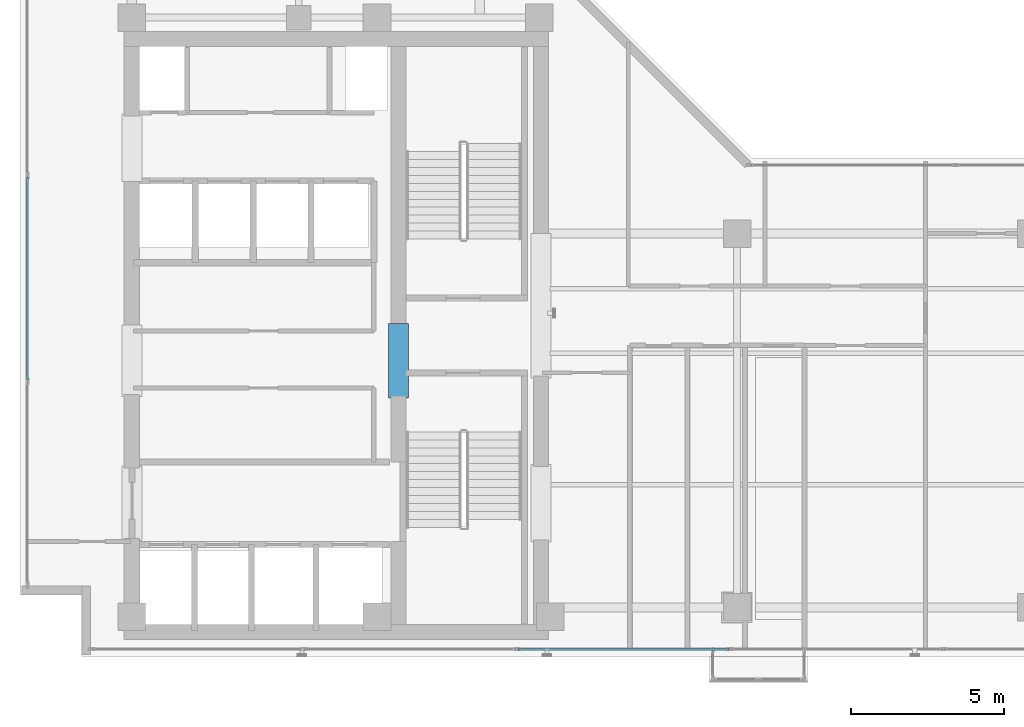
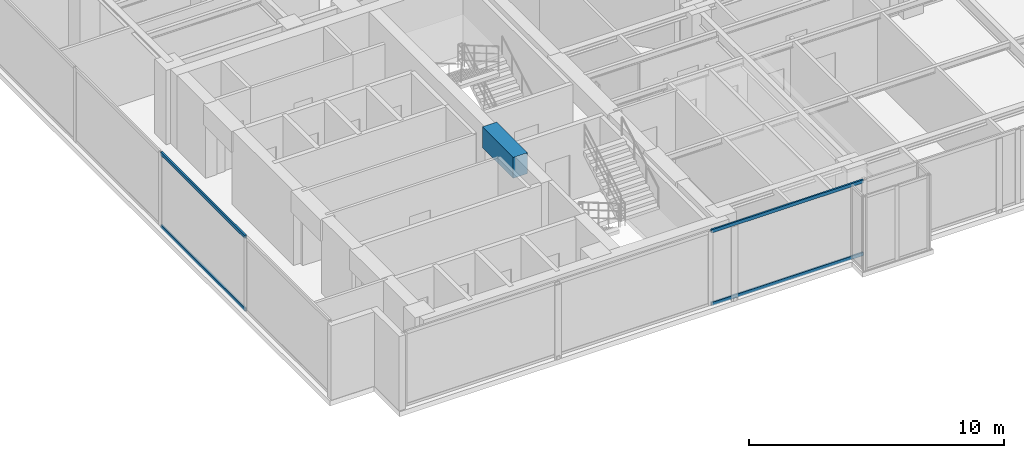
# One storey, part 3 of 22: 4 members, 1 beam, 2 elements without a shape of their own.
"""IFC4 building model written with IfcOpenShell, lengths in metres."""

from ifc_helpers import new_model, si_unit, direction, frame, origin, origin_with_axes, origin_2d, place, context, subcontext, project, spatial, rectangle, hollow_rectangle, extrude, source, transform, mapped, material, layer, layer_set, material_profile, profile_set, type_object, element, aggregate, save


model = new_model("IFC4")

# Units and contexts
model_context = context("Model", 3, precision=1e-05, world=origin(), true_north=direction((0.0, 1.0)))
body_context = subcontext(model_context, "Body", "Model", "MODEL_VIEW")
ifc_project = project(units=[si_unit("LENGTHUNIT", "METRE"), si_unit("AREAUNIT", "SQUARE_METRE"), si_unit("VOLUMEUNIT", "CUBIC_METRE"), si_unit("PLANEANGLEUNIT", "RADIAN"), si_unit("MASSUNIT", "GRAM", prefix="KILO")], contexts=[model_context])

# Site, building, storey
site_placement = place(None, origin())
site = spatial("IfcSite", under=ifc_project, at=site_placement, CompositionType="ELEMENT")
building_placement = place(site_placement, origin())
building = spatial("IfcBuilding", under=site, at=building_placement, Name="Kolvaren Waterfront Exchange", CompositionType="ELEMENT")
storey_placement = place(building_placement, frame((0.0, 0.0, 308.39990234375)))
storey = spatial("IfcBuildingStorey", under=building, at=storey_placement, Name="L79", CompositionType="ELEMENT", Elevation=308.39990234375)

# Beam
ifc_material_1 = material(Name="Concrete C60/75", Category="concrete")
ifc_material_profile_1 = material_profile(ifc_material_1, rectangle(XDim=0.64990234375, YDim=1.0, at=origin_2d()), Name="RC-CB-1000x650")
ifc_profile_set_1 = profile_set([ifc_material_profile_1], Name="Concrete C60/75")
beam_type = type_object("IfcBeamType", Name="STR-CB-1000", PredefinedType="SPANDREL", material=ifc_profile_set_1)
beam_placement = place(storey_placement, frame((16.14990234375, 12.0400390625, 3.06005859375), z_axis=(0.0, 1.0, 0.0), x_axis=(-1.0, 0.0, 0.0)))
element("IfcBeam", 1, at=beam_placement, inside=storey, type_object=beam_type, Name="L79 core coupling beam 6", PredefinedType="SPANDREL", context=body_context, shape_type="SweptSolid", body=[
    extrude(rectangle(XDim=0.64990234375, YDim=1.0, at=origin_2d()), origin(), (0.0, 0.0, 1.0), 2.419921875),
])

# Curtain wall, members
ifc_material_2 = material(Name="Anodised aluminium 6063-T6", Category="aluminium")
ifc_layer_1 = layer(ifc_material_2, 0.219970703125, Name="Anodised aluminium 6063-T6")
ifc_layer_set_1 = layer_set([ifc_layer_1], Name="Anodised aluminium 6063-T6")
curtain_wall_type_1 = type_object("IfcCurtainWallType", Name="ARC-CW-SYS2", PredefinedType="USERDEFINED", material=ifc_layer_set_1)
curtain_wall_1_placement = place(storey_placement, origin())
curtain_wall_1 = element("IfcCurtainWall", 2, at=curtain_wall_1_placement, inside=storey, type_object=curtain_wall_type_1, Name="L79 stick curtain wall CW2 (CW-L79-W)", ObjectType="STICK CURTAIN WALL", PredefinedType="USERDEFINED")
ifc_material_profile_2 = material_profile(ifc_material_2, hollow_rectangle(XDim=0.074951171875, YDim=0.159912109375, WallThickness=0.00439453125, at=origin_2d()), Name="ALU-TRN-160x75x4.5")
ifc_profile_set_2 = profile_set([ifc_material_profile_2], Name="Anodised aluminium 6063-T6")
member_type = type_object("IfcMemberType", Name="ARC-CWT-160", PredefinedType="USERDEFINED", material=ifc_profile_set_2)
shared_shape_1 = source(origin_with_axes(), body_context, "Body", "SweptSolid", [
    extrude(hollow_rectangle(XDim=0.074951171875, YDim=0.159912109375, WallThickness=0.00439453125, at=origin_2d()), origin(), (0.0, 0.0, 1.0), 6.61279296875),
])
member_1_placement = place(storey_placement, frame((4.0400390625, 12.633056640625, 0.03759765625), z_axis=(0.0, 1.0, 0.0), x_axis=(-1.0, 0.0, 0.0)))
member_1 = element("IfcMember", 3, at=member_1_placement, type_object=member_type, Name="CW2 transom 2.1", ObjectType="TRANSOM", PredefinedType="USERDEFINED", context=body_context, shape_type="MappedRepresentation", body=[
    mapped(shared_shape_1, transform((0.0, 0.0, 0.0), x_axis=(1.0, 0.0, 0.0), y_axis=(0.0, 1.0, 0.0), z_axis=(0.0, 0.0, 1.0), scale=1.0)),
])
member_2_placement = place(storey_placement, frame((4.0400390625, 12.633056640625, 3.522705078125), z_axis=(0.0, 1.0, 0.0), x_axis=(-1.0, 0.0, 0.0)))
member_2 = element("IfcMember", 4, at=member_2_placement, type_object=member_type, Name="CW2 transom 2.2", ObjectType="TRANSOM", PredefinedType="USERDEFINED", context=body_context, shape_type="MappedRepresentation", body=[
    mapped(shared_shape_1, transform((0.0, 0.0, 0.0), x_axis=(1.0, 0.0, 0.0), y_axis=(0.0, 1.0, 0.0), z_axis=(0.0, 0.0, 1.0), scale=1.0)),
])
aggregate(curtain_wall_1, [member_1, member_2])

ifc_material_3 = material(Name="Anodised bronze aluminium 6063-T6", Category="aluminium")
ifc_layer_2 = layer(ifc_material_3, 0.219970703125, Name="Anodised bronze aluminium 6063-T6")
ifc_layer_set_2 = layer_set([ifc_layer_2], Name="Anodised bronze aluminium 6063-T6")
curtain_wall_type_2 = type_object("IfcCurtainWallType", Name="ARC-CW-SYS1", PredefinedType="USERDEFINED", material=ifc_layer_set_2)
curtain_wall_2_placement = place(storey_placement, origin())
curtain_wall_2 = element("IfcCurtainWall", 5, at=curtain_wall_2_placement, inside=storey, type_object=curtain_wall_type_2, Name="L79 stick curtain wall CW1 (CW-L79-S)", ObjectType="STICK CURTAIN WALL", PredefinedType="USERDEFINED")
shared_shape_2 = source(origin_with_axes(), body_context, "Body", "SweptSolid", [
    extrude(hollow_rectangle(XDim=0.074951171875, YDim=0.159912109375, WallThickness=0.00439453125, at=origin_2d()), origin(), (0.0, 0.0, 1.0), 6.879638671875),
])
member_3_placement = place(storey_placement, frame((20.059326171875, 3.840087890625, 0.03759765625), z_axis=(1.0, 0.0, 0.0), x_axis=(0.0, 1.0, 0.0)))
member_3 = element("IfcMember", 6, at=member_3_placement, type_object=member_type, Name="CW1 transom 3.1", ObjectType="TRANSOM", PredefinedType="USERDEFINED", context=body_context, shape_type="MappedRepresentation", body=[
    mapped(shared_shape_2, transform((0.0, 0.0, 0.0), x_axis=(1.0, 0.0, 0.0), y_axis=(0.0, 1.0, 0.0), z_axis=(0.0, 0.0, 1.0), scale=1.0)),
])
member_4_placement = place(storey_placement, frame((20.059326171875, 3.840087890625, 3.522705078125), z_axis=(1.0, 0.0, 0.0), x_axis=(0.0, 1.0, 0.0)))
member_4 = element("IfcMember", 7, at=member_4_placement, type_object=member_type, Name="CW1 transom 3.2", ObjectType="TRANSOM", PredefinedType="USERDEFINED", context=body_context, shape_type="MappedRepresentation", body=[
    mapped(shared_shape_2, transform((0.0, 0.0, 0.0), x_axis=(1.0, 0.0, 0.0), y_axis=(0.0, 1.0, 0.0), z_axis=(0.0, 0.0, 1.0), scale=1.0)),
])
aggregate(curtain_wall_2, [member_3, member_4])

save(model, "model.ifc")
